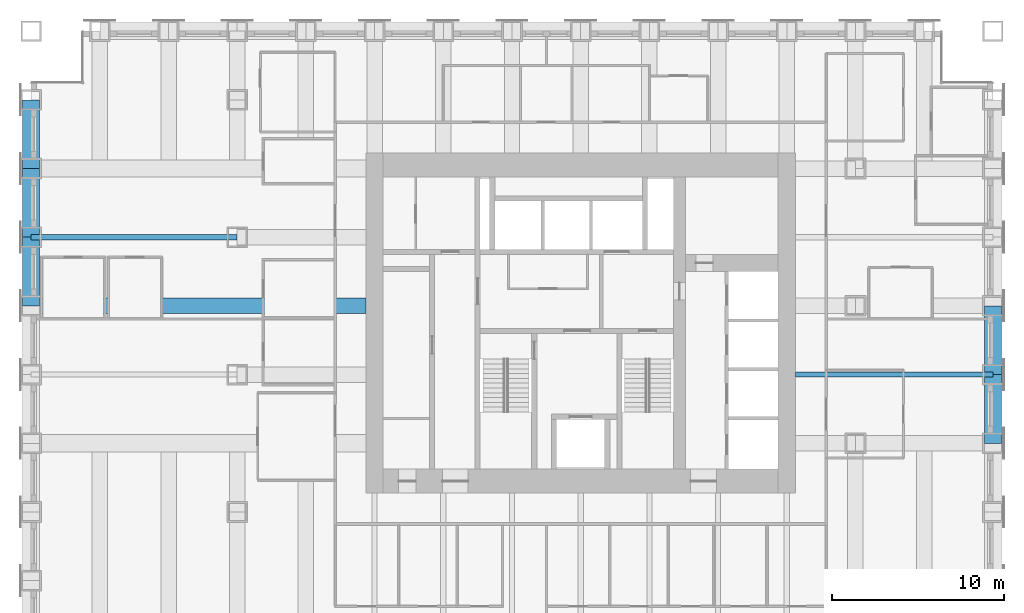
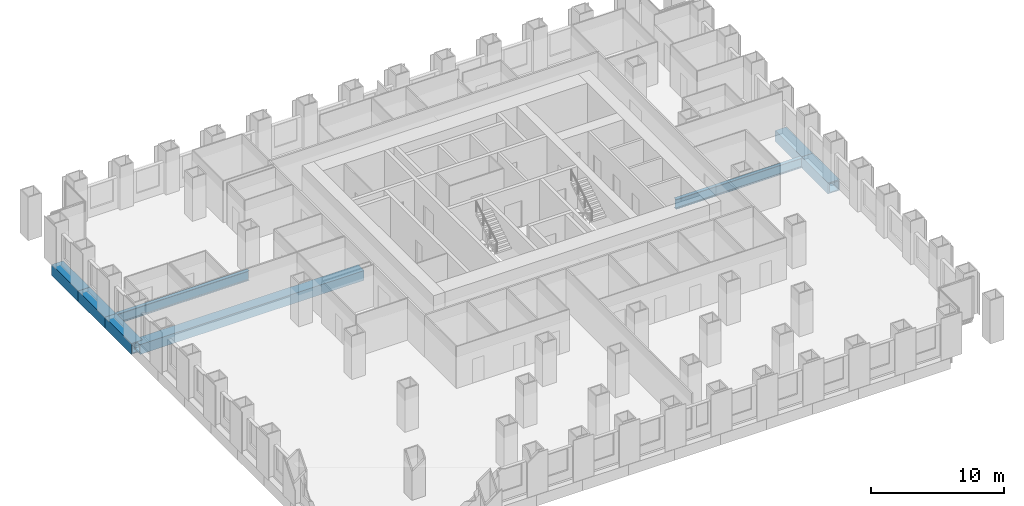
# One storey, part 5 of 15: 8 beams.
"""IFC4 building model written with IfcOpenShell, lengths in metres."""

from ifc_helpers import new_model, si_unit, direction, frame, origin, origin_2d, place, context, subcontext, project, spatial, hollow_rectangle, i_section, extrude, material, material_profile, profile_set, type_object, element, save


model = new_model("IFC4")

# Units and contexts
model_context = context("Model", 3, precision=1e-05, world=origin(), true_north=direction((0.0, 1.0)))
body_context = subcontext(model_context, "Body", "Model", "MODEL_VIEW")
ifc_project = project(units=[si_unit("LENGTHUNIT", "METRE"), si_unit("AREAUNIT", "SQUARE_METRE"), si_unit("VOLUMEUNIT", "CUBIC_METRE"), si_unit("PLANEANGLEUNIT", "RADIAN"), si_unit("MASSUNIT", "GRAM", prefix="KILO")], contexts=[model_context])

# Site, building, storey
site_placement = place(None, origin())
site = spatial("IfcSite", under=ifc_project, at=site_placement, CompositionType="ELEMENT")
building_placement = place(site_placement, origin())
building = spatial("IfcBuilding", under=site, at=building_placement, Name="Rimbunsela Tower", CompositionType="ELEMENT")
storey_placement = place(building_placement, frame((0.0, 0.0, 19.0)))
storey = spatial("IfcBuildingStorey", under=building, at=storey_placement, Name="L04", CompositionType="ELEMENT", Elevation=19.0)

# Beams
ifc_material_1 = material(Name="Steel BJ 55 (fy 410 MPa)", Category="steel")
ifc_material_profile_1 = material_profile(ifc_material_1, hollow_rectangle(XDim=1.0, YDim=1.0, WallThickness=0.10009765625, at=origin_2d()), Name="BOX 1000x1000x100")
ifc_profile_set_1 = profile_set([ifc_material_profile_1], Name="Steel BJ 55 (fy 410 MPa)")
beam_type_1 = type_object("IfcBeamType", Name="Beam BOX 1000x1000x100", PredefinedType="BEAM", material=ifc_profile_set_1)
for number, where, z_axis, x_axis, name in (
    (1, (-2.0, 28.0, -0.64990234375), (0.0, 1.0, 0.0), (-1.0, 0.0, 0.0), "Beam B3 L04"),
    (2, (-2.0, 32.0, -0.64990234375), (0.0, 1.0, 0.0), (-1.0, 0.0, 0.0), "Beam B3 L04"),
    (3, (-2.0, 36.0, -0.64990234375), (0.0, 1.0, 0.0), (-1.0, 0.0, 0.0), "Beam B3 L04"),
    (4, (54.0, 20.0, -0.64990234375), (0.0, 1.0, 0.0), (-1.0, 0.0, 0.0), "Beam B3 L04"),
    (5, (54.0, 24.0, -0.64990234375), (0.0, 1.0, 0.0), (-1.0, 0.0, 0.0), "Beam B3 L04"),
):
    element("IfcBeam", number, at=place(storey_placement, frame(where, z_axis=z_axis, x_axis=x_axis)), inside=storey, type_object=beam_type_1, Name=name, PredefinedType="BEAM", context=body_context, shape_type="SweptSolid", body=[
        extrude(hollow_rectangle(XDim=1.0, YDim=1.0, WallThickness=0.10009765625, at=origin_2d()), origin(), (0.0, 0.0, 1.0), 4.0),
    ])
ifc_material_2 = material(Name="Steel BJ 55 (fy 410 MPa)", Category="steel")
ifc_material_profile_2 = material_profile(ifc_material_2, hollow_rectangle(XDim=0.89990234375, YDim=0.89990234375, WallThickness=0.06005859375, at=origin_2d()), Name="BOX 900x900x60")
ifc_profile_set_2 = profile_set([ifc_material_profile_2], Name="Steel BJ 55 (fy 410 MPa)")
beam_type_2 = type_object("IfcBeamType", Name="Beam BOX 900x900x60", PredefinedType="BEAM", material=ifc_profile_set_2)
beam_1_placement = place(storey_placement, frame((-2.0, 28.0, -0.60009765625), z_axis=(1.0, 0.0, 0.0), x_axis=(0.0, 1.0, 0.0)))
element("IfcBeam", 6, at=beam_1_placement, inside=storey, type_object=beam_type_2, Name="Beam B1 L04", PredefinedType="BEAM", context=body_context, shape_type="SweptSolid", body=[
    extrude(hollow_rectangle(XDim=0.89990234375, YDim=0.89990234375, WallThickness=0.06005859375, at=origin_2d()), origin(), (0.0, 0.0, 1.0), 19.5),
])
ifc_material_3 = material(Name="Steel BJ 55 (fy 410 MPa)", Category="steel")
ifc_material_profile_3 = material_profile(ifc_material_3, i_section(OverallWidth=0.300048828125, OverallDepth=0.89990234375, WebThickness=0.01611328125, FlangeThickness=0.028076171875, FilletRadius=0.028076171875, at=origin_2d()), Name="H 900x300x16x28")
ifc_profile_set_3 = profile_set([ifc_material_profile_3], Name="Steel BJ 55 (fy 410 MPa)")
beam_type_3 = type_object("IfcBeamType", Name="Beam H 900x300x16x28", PredefinedType="BEAM", material=ifc_profile_set_3)
beam_2_placement = place(storey_placement, frame((-2.0, 32.0, -0.60009765625), z_axis=(1.0, 0.0, 0.0), x_axis=(0.0, 1.0, 0.0)))
element("IfcBeam", 7, at=beam_2_placement, inside=storey, type_object=beam_type_3, Name="Beam B2 L04", PredefinedType="BEAM", context=body_context, shape_type="SweptSolid", body=[
    extrude(i_section(OverallWidth=0.300048828125, OverallDepth=0.89990234375, WebThickness=0.01611328125, FlangeThickness=0.028076171875, FilletRadius=0.028076171875, at=origin_2d()), origin(), (0.0, 0.0, 1.0), 12.0),
])
beam_3_placement = place(storey_placement, frame((42.5, 24.0, -0.60009765625), z_axis=(1.0, 0.0, 0.0), x_axis=(0.0, 1.0, 0.0)))
element("IfcBeam", 8, at=beam_3_placement, inside=storey, type_object=beam_type_3, Name="Beam B2 L04", PredefinedType="BEAM", context=body_context, shape_type="SweptSolid", body=[
    extrude(i_section(OverallWidth=0.300048828125, OverallDepth=0.89990234375, WebThickness=0.01611328125, FlangeThickness=0.028076171875, FilletRadius=0.028076171875, at=origin_2d()), origin(), (0.0, 0.0, 1.0), 11.5),
])

save(model, "model.ifc")
